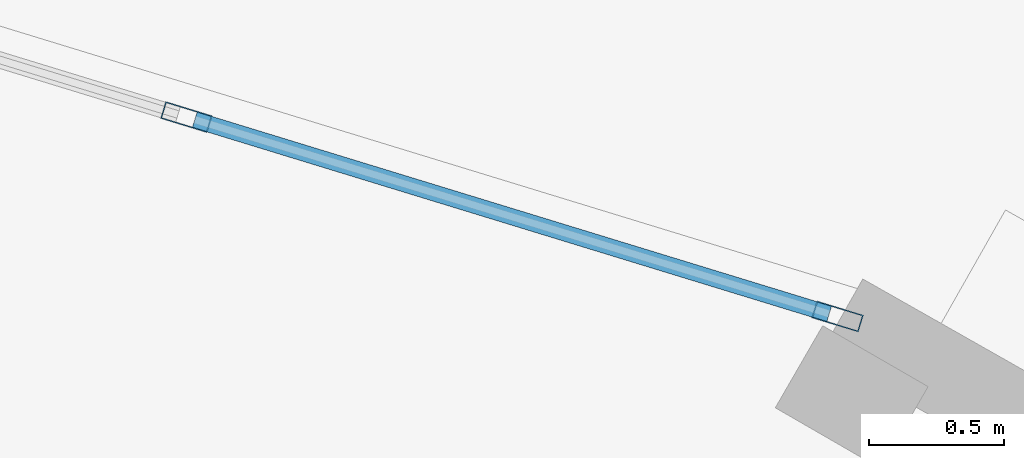
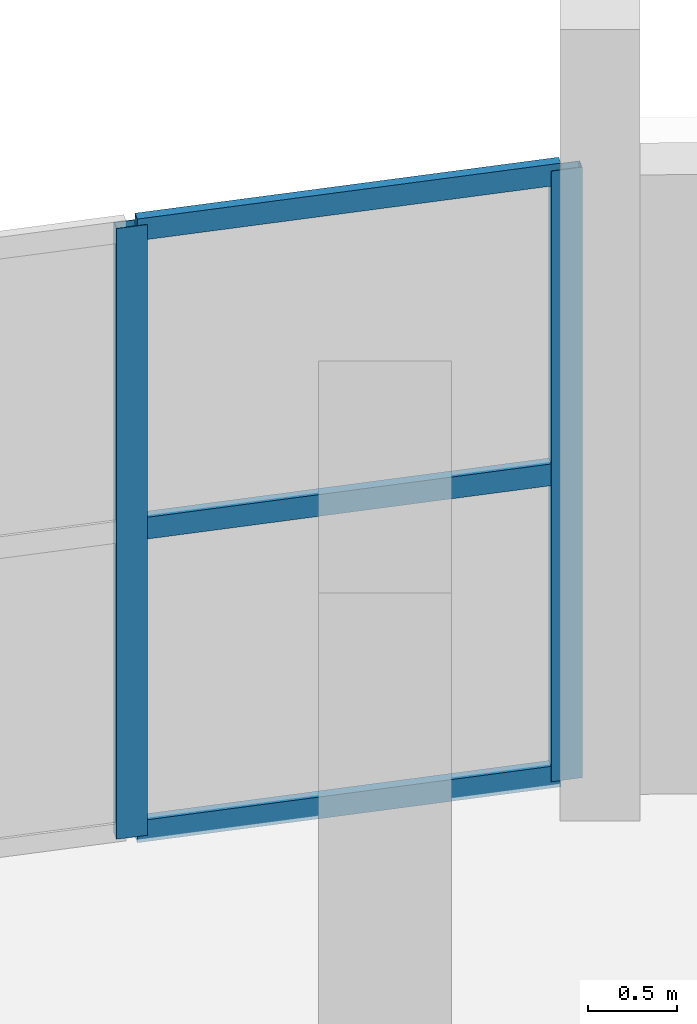
# One storey, part 72 of 123: 5 members, 1 element without a shape of its own.
"""IFC4 building model written with IfcOpenShell, lengths in metres."""

from ifc_helpers import new_model, si_unit, direction, frame, origin, origin_2d, place, context, subcontext, project, spatial, hollow_rectangle, extrude, material, layer, layer_set, material_profile, profile_set, type_object, element, aggregate, save


model = new_model("IFC4")

# Units and contexts
model_context = context("Model", 3, precision=1e-05, world=origin(), true_north=direction((0.0, 1.0)))
body_context = subcontext(model_context, "Body", "Model", "MODEL_VIEW")
ifc_project = project(units=[si_unit("LENGTHUNIT", "METRE"), si_unit("AREAUNIT", "SQUARE_METRE"), si_unit("VOLUMEUNIT", "CUBIC_METRE"), si_unit("PLANEANGLEUNIT", "RADIAN"), si_unit("MASSUNIT", "GRAM", prefix="KILO")], contexts=[model_context])

# Site, building, storey
site_placement = place(None, origin())
site = spatial("IfcSite", under=ifc_project, at=site_placement, CompositionType="ELEMENT")
building_placement = place(site_placement, origin())
building = spatial("IfcBuilding", under=site, at=building_placement, Name="Kalgoora Escarpment Arena", CompositionType="ELEMENT")
storey_placement = place(building_placement, frame((0.0, 0.0, 9.89990234375)))
storey = spatial("IfcBuildingStorey", under=building, at=storey_placement, Name="L02", CompositionType="ELEMENT", Elevation=9.89990234375)

# Curtain wall, members
ifc_material_1 = material(Name=" Champagne anodised aluminium & double-glazed low-E", Category="aluminium")
ifc_layer = layer(ifc_material_1, 0.162109375)
ifc_layer_set = layer_set([ifc_layer], Name="CW-UNIT-03")
curtain_wall_type = type_object("IfcCurtainWallType", Name="CW-UNIT-03", PredefinedType="NOTDEFINED", material=ifc_layer_set)
curtain_wall_placement = place(storey_placement, origin())
curtain_wall = element("IfcCurtainWall", 1, at=curtain_wall_placement, inside=storey, type_object=curtain_wall_type, Name="L02 unitised facade curtain wall 082", PredefinedType="NOTDEFINED")
ifc_material_2 = material(Name="Anodised aluminium 6063-T6", Category="aluminium")
ifc_material_profile_1 = material_profile(ifc_material_2, hollow_rectangle(XDim=0.06494140625, YDim=0.179931640625, WallThickness=0.00390625, at=origin_2d()))
ifc_profile_set_1 = profile_set([ifc_material_profile_1], Name="Anodised aluminium 6063-T6")
member_type_1 = type_object("IfcMemberType", Name="MEM-CW-MULL-180", PredefinedType="MULLION", material=ifc_profile_set_1)
member_1_placement = place(storey_placement, frame((131.140625, 117.689453125, 0.02001953125), z_axis=(0.0, 0.0, 1.0), x_axis=(0.29274500326, 0.956190547467, 0.0)))
member_1 = element("IfcMember", 2, at=member_1_placement, type_object=member_type_1, Name="CW-03 mullion 2", PredefinedType="MULLION", context=body_context, shape_type="SweptSolid", body=[
    extrude(hollow_rectangle(XDim=0.06494140625, YDim=0.179931640625, WallThickness=0.00390625, at=origin_2d()), origin(), (0.0, 0.0, 1.0), 4.205078125),
])
member_2_placement = place(storey_placement, frame((133.5478515625, 116.952392578125, 0.02001953125), z_axis=(0.0, 0.0, 1.0), x_axis=(0.29274500326, 0.956190547467, 0.0)))
member_2 = element("IfcMember", 3, at=member_2_placement, type_object=member_type_1, Name="CW-03 mullion 3", PredefinedType="MULLION", context=body_context, shape_type="SweptSolid", body=[
    extrude(hollow_rectangle(XDim=0.06494140625, YDim=0.179931640625, WallThickness=0.00390625, at=origin_2d()), origin(), (0.0, 0.0, 1.0), 4.205078125),
])
ifc_material_3 = material(Name="Anodised aluminium 6063-T6", Category="aluminium")
ifc_material_profile_2 = material_profile(ifc_material_3, hollow_rectangle(XDim=0.06005859375, YDim=0.14990234375, WallThickness=0.00341796875, at=origin_2d()))
ifc_profile_set_2 = profile_set([ifc_material_profile_2], Name="Anodised aluminium 6063-T6")
member_type_2 = type_object("IfcMemberType", Name="MEM-CW-TRAN-150", PredefinedType="USERDEFINED", material=ifc_profile_set_2)
member_3_placement = place(storey_placement, frame((131.171630859375, 117.679931640625, 0.050048828125), z_axis=(0.956189151682, -0.292749562263, 0.0), x_axis=(0.292749562263, 0.956189151682, 0.0)))
member_3 = element("IfcMember", 4, at=member_3_placement, type_object=member_type_2, Name="CW-03 transom 2.1", ObjectType="TRANSOM", PredefinedType="USERDEFINED", context=body_context, shape_type="SweptSolid", body=[
    extrude(hollow_rectangle(XDim=0.06005859375, YDim=0.14990234375, WallThickness=0.00341796875, at=origin_2d()), origin(), (0.0, 0.0, 1.0), 2.45263671875),
])
member_4_placement = place(storey_placement, frame((131.171630859375, 117.679931640625, 2.132568359375), z_axis=(0.956189151682, -0.292749562263, 0.0), x_axis=(0.292749562263, 0.956189151682, 0.0)))
member_4 = element("IfcMember", 5, at=member_4_placement, type_object=member_type_2, Name="CW-03 transom 2.2", ObjectType="TRANSOM", PredefinedType="USERDEFINED", context=body_context, shape_type="SweptSolid", body=[
    extrude(hollow_rectangle(XDim=0.06005859375, YDim=0.14990234375, WallThickness=0.00341796875, at=origin_2d()), origin(), (0.0, 0.0, 1.0), 2.45263671875),
])
member_5_placement = place(storey_placement, frame((131.171630859375, 117.679931640625, 4.195068359375), z_axis=(0.956189151682, -0.292749562263, 0.0), x_axis=(0.292749562263, 0.956189151682, 0.0)))
member_5 = element("IfcMember", 6, at=member_5_placement, type_object=member_type_2, Name="CW-03 transom 2.3", ObjectType="TRANSOM", PredefinedType="USERDEFINED", context=body_context, shape_type="SweptSolid", body=[
    extrude(hollow_rectangle(XDim=0.06005859375, YDim=0.14990234375, WallThickness=0.00341796875, at=origin_2d()), origin(), (0.0, 0.0, 1.0), 2.45263671875),
])
aggregate(curtain_wall, [member_1, member_2, member_3, member_4, member_5])

save(model, "model.ifc")
